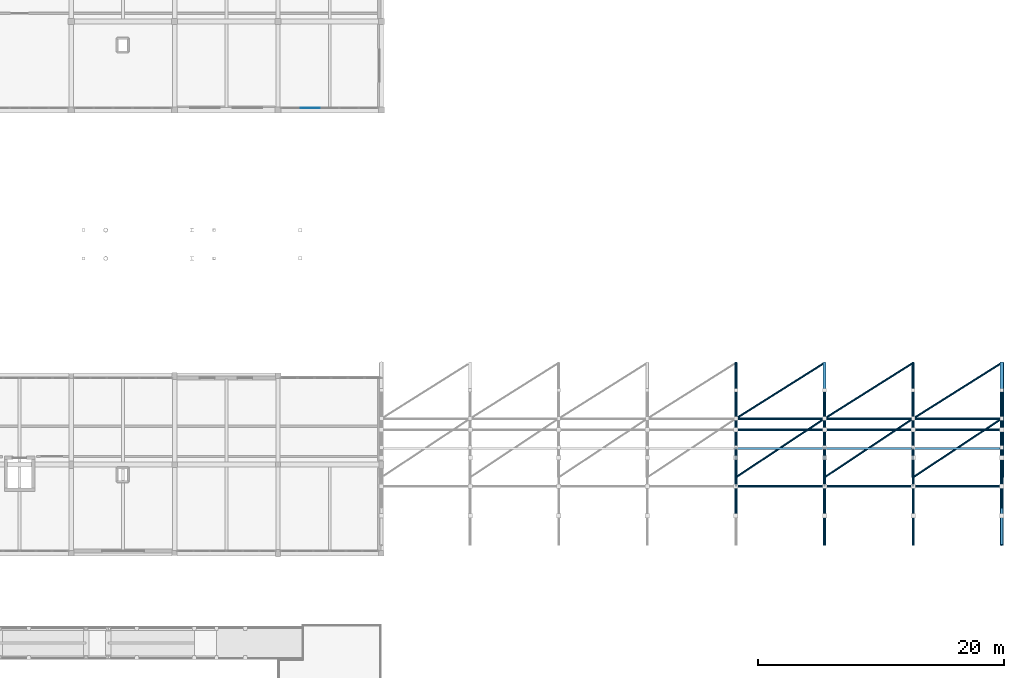
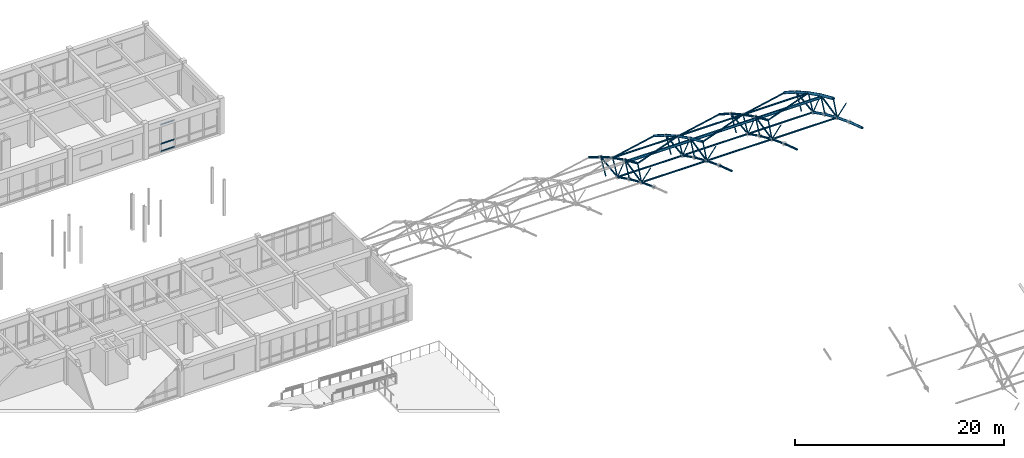
# One storey, part 57 of 89: 84 members, 1 element without a shape of its own.
"""IFC4 building model written with IfcOpenShell, lengths in metres."""

from ifc_helpers import new_model, si_unit, direction, frame, origin, origin_2d, place, context, subcontext, project, spatial, rectangle, hollow_circle, i_section, extrude, material, material_profile, profile_set, type_object, element, aggregate, save


model = new_model("IFC4")

# Units and contexts
model_context = context("Model", 3, precision=1e-05, world=origin(), true_north=direction((0.0, 1.0)))
body_context = subcontext(model_context, "Body", "Model", "MODEL_VIEW")
ifc_project = project(units=[si_unit("LENGTHUNIT", "METRE"), si_unit("AREAUNIT", "SQUARE_METRE"), si_unit("VOLUMEUNIT", "CUBIC_METRE"), si_unit("PLANEANGLEUNIT", "RADIAN"), si_unit("MASSUNIT", "GRAM", prefix="KILO")], contexts=[model_context])

# Site, building, storey
site_placement = place(None, origin())
site = spatial("IfcSite", under=ifc_project, at=site_placement, CompositionType="ELEMENT")
building_placement = place(site_placement, origin())
building = spatial("IfcBuilding", under=site, at=building_placement, Name="Malvenik Polytechnic", CompositionType="ELEMENT")
storey_placement = place(building_placement, frame((0.0, 0.0, 13.5)))
storey = spatial("IfcBuildingStorey", under=building, at=storey_placement, Name="L03", CompositionType="ELEMENT", Elevation=13.5)

# Curtain wall, members
ifc_material_1 = material(Name="Anodised aluminium 6060-T6", Category="aluminium")
curtain_wall_type = type_object("IfcCurtainWallType", Name="ARC-CW-CW-02", PredefinedType="NOTDEFINED", material=ifc_material_1)
curtain_wall_placement = place(storey_placement, origin())
curtain_wall = element("IfcCurtainWall", 1, at=curtain_wall_placement, inside=storey, type_object=curtain_wall_type, Name="Unitised Curtain Wall CW-02 L03 #182", PredefinedType="NOTDEFINED")
ifc_material_2 = material(Name="Anodised aluminium", Category="aluminium")
ifc_material_profile_1 = material_profile(ifc_material_2, rectangle(XDim=0.06005859375, YDim=0.139892578125, at=origin_2d()), Name="ALU TRANSOM 60x140")
ifc_profile_set_1 = profile_set([ifc_material_profile_1], Name="Anodised aluminium")
member_type_1 = type_object("IfcMemberType", Name="ARC-CWT-140", PredefinedType="USERDEFINED", material=ifc_profile_set_1)
member_1_placement = place(storey_placement, frame((129.379638671875, 115.3701171875, 0.030029296875), z_axis=(-1.0, 0.0, 0.0), x_axis=(0.0, -1.0, 0.0)))
member_1 = element("IfcMember", 2, at=member_1_placement, type_object=member_type_1, Name="CW-02 transom 4.1", ObjectType="TRANSOM", PredefinedType="USERDEFINED", context=body_context, shape_type="SweptSolid", body=[
    extrude(rectangle(XDim=0.06005859375, YDim=0.139892578125, at=origin_2d()), origin(), (0.0, 0.0, 1.0), 1.520751953125),
])
member_2_placement = place(storey_placement, frame((129.379638671875, 115.3701171875, 0.89990234375), z_axis=(-1.0, 0.0, 0.0), x_axis=(0.0, -1.0, 0.0)))
member_2 = element("IfcMember", 3, at=member_2_placement, type_object=member_type_1, Name="CW-02 transom 4.2", ObjectType="TRANSOM", PredefinedType="USERDEFINED", context=body_context, shape_type="SweptSolid", body=[
    extrude(rectangle(XDim=0.06005859375, YDim=0.139892578125, at=origin_2d()), origin(), (0.0, 0.0, 1.0), 1.520751953125),
])
member_3_placement = place(storey_placement, frame((129.379638671875, 115.3701171875, 3.1298828125), z_axis=(-1.0, 0.0, 0.0), x_axis=(0.0, -1.0, 0.0)))
member_3 = element("IfcMember", 4, at=member_3_placement, type_object=member_type_1, Name="CW-02 transom 4.3", ObjectType="TRANSOM", PredefinedType="USERDEFINED", context=body_context, shape_type="SweptSolid", body=[
    extrude(rectangle(XDim=0.06005859375, YDim=0.139892578125, at=origin_2d()), origin(), (0.0, 0.0, 1.0), 1.520751953125),
])
aggregate(curtain_wall, [member_1, member_2, member_3])

# Members
ifc_material_3 = material(Name="Steel S355J2H", Category="steel")
ifc_material_profile_2 = material_profile(ifc_material_3, hollow_circle(Radius=0.136474609375, WallThickness=0.010009765625, at=origin_2d()), Name="CHS 273.0x10.0")
ifc_profile_set_2 = profile_set([ifc_material_profile_2], Name="Steel S355J2H")
member_type_2 = type_object("IfcMemberType", Name="STR-MEM-SFB-01", PredefinedType="CHORD", material=ifc_profile_set_2)
for number, where, z_axis, x_axis, name in (
    (5, (184.800048828125, 79.846923828125, 4.37890625), (0.0, 0.94989908527, -0.31255675933), (-1.0, 0.0, 0.0), "Space-Frame Tube SFB-01 STR-SF-BC-0716"),
    (6, (184.800048828125, 82.2626953125, 3.583740234375), (0.0, 0.933457240212, -0.358688696079), (-1.0, 0.0, 0.0), "Space-Frame Tube SFB-01 STR-SF-BC-0718"),
):
    element("IfcMember", number, at=place(storey_placement, frame(where, z_axis=z_axis, x_axis=x_axis)), inside=storey, type_object=member_type_2, Name=name, PredefinedType="CHORD", context=body_context, shape_type="SweptSolid", body=[
        extrude(hollow_circle(Radius=0.136474609375, WallThickness=0.010009765625, at=origin_2d()), origin(), (0.0, 0.0, 1.0), 2.535400390625),
    ])
for number, where, z_axis, x_axis, name in (
    (7, (184.800048828125, 84.636962890625, 2.67138671875), (0.0, 0.914766067663, -0.403983961875), (-1.0, 0.0, 0.0), "Space-Frame Tube SFB-01 STR-SF-BC-0720"),
    (8, (184.800048828125, 86.96337890625, 1.643798828125), (0.0, 0.893983756893, -0.448099366673), (-1.0, 0.0, 0.0), "Space-Frame Tube SFB-01 STR-SF-BC-0722"),
):
    element("IfcMember", number, at=place(storey_placement, frame(where, z_axis=z_axis, x_axis=x_axis)), inside=storey, type_object=member_type_2, Name=name, PredefinedType="CHORD", context=body_context, shape_type="SweptSolid", body=[
        extrude(hollow_circle(Radius=0.136474609375, WallThickness=0.010009765625, at=origin_2d()), origin(), (0.0, 0.0, 1.0), 2.53515625),
    ])
ifc_material_profile_3 = material_profile(ifc_material_3, hollow_circle(Radius=0.109619140625, WallThickness=0.010009765625, at=origin_2d()), Name="CHS 219.1x10.0")
ifc_profile_set_3 = profile_set([ifc_material_profile_3], Name="Steel S355J2H")
member_type_3 = type_object("IfcMemberType", Name="STR-MEM-SFB-02", PredefinedType="CHORD", material=ifc_profile_set_3)
for number, where, z_axis, x_axis, name in (
    (9, (170.39990234375, 79.846923828125, 4.37890625), (0.0, 0.94989908527, -0.31255675933), (-1.0, 0.0, 0.0), "Space-Frame Tube SFB-02 STR-SF-BC-0522"),
    (10, (170.39990234375, 82.2626953125, 3.583740234375), (0.0, 0.933457240212, -0.358688696079), (-1.0, 0.0, 0.0), "Space-Frame Tube SFB-02 STR-SF-BC-0524"),
):
    element("IfcMember", number, at=place(storey_placement, frame(where, z_axis=z_axis, x_axis=x_axis)), inside=storey, type_object=member_type_3, Name=name, PredefinedType="CHORD", context=body_context, shape_type="SweptSolid", body=[
        extrude(hollow_circle(Radius=0.109619140625, WallThickness=0.010009765625, at=origin_2d()), origin(), (0.0, 0.0, 1.0), 2.535400390625),
    ])
for number, where, z_axis, x_axis, name in (
    (11, (170.39990234375, 84.636962890625, 2.67138671875), (0.0, 0.914766067663, -0.403983961875), (-1.0, 0.0, 0.0), "Space-Frame Tube SFB-02 STR-SF-BC-0526"),
    (12, (170.39990234375, 86.96337890625, 1.643798828125), (0.0, 0.893983756893, -0.448099366673), (-1.0, 0.0, 0.0), "Space-Frame Tube SFB-02 STR-SF-BC-0528"),
):
    element("IfcMember", number, at=place(storey_placement, frame(where, z_axis=z_axis, x_axis=x_axis)), inside=storey, type_object=member_type_3, Name=name, PredefinedType="CHORD", context=body_context, shape_type="SweptSolid", body=[
        extrude(hollow_circle(Radius=0.109619140625, WallThickness=0.010009765625, at=origin_2d()), origin(), (0.0, 0.0, 1.0), 2.53515625),
    ])
ifc_material_profile_4 = material_profile(ifc_material_3, hollow_circle(Radius=0.109619140625, WallThickness=0.008056640625, at=origin_2d()), Name="CHS 219.1x8.0")
ifc_profile_set_4 = profile_set([ifc_material_profile_4], Name="Steel S355J2H")
member_type_4 = type_object("IfcMemberType", Name="STR-MEM-SFB-03", PredefinedType="CHORD", material=ifc_profile_set_4)
member_4_placement = place(storey_placement, frame((163.199951171875, 82.2626953125, 3.583740234375), z_axis=(0.0, 0.933457240212, -0.358688696079), x_axis=(-1.0, 0.0, 0.0)))
element("IfcMember", 13, at=member_4_placement, inside=storey, type_object=member_type_4, Name="Space-Frame Tube SFB-03 STR-SF-BC-0427", PredefinedType="CHORD", context=body_context, shape_type="SweptSolid", body=[
    extrude(hollow_circle(Radius=0.109619140625, WallThickness=0.008056640625, at=origin_2d()), origin(), (0.0, 0.0, 1.0), 2.535400390625),
])
for number, where, z_axis, x_axis, name in (
    (14, (163.199951171875, 84.636962890625, 2.67138671875), (0.0, 0.914766067663, -0.403983961875), (-1.0, 0.0, 0.0), "Space-Frame Tube SFB-03 STR-SF-BC-0429"),
    (15, (163.199951171875, 86.96337890625, 1.643798828125), (0.0, 0.893983756893, -0.448099366673), (-1.0, 0.0, 0.0), "Space-Frame Tube SFB-03 STR-SF-BC-0431"),
):
    element("IfcMember", number, at=place(storey_placement, frame(where, z_axis=z_axis, x_axis=x_axis)), inside=storey, type_object=member_type_4, Name=name, PredefinedType="CHORD", context=body_context, shape_type="SweptSolid", body=[
        extrude(hollow_circle(Radius=0.109619140625, WallThickness=0.008056640625, at=origin_2d()), origin(), (0.0, 0.0, 1.0), 2.53515625),
    ])
for number, where, z_axis, x_axis, name in (
    (16, (177.60009765625, 79.846923828125, 4.37890625), (0.0, 0.94989908527, -0.31255675933), (-1.0, 0.0, 0.0), "Space-Frame Tube SFB-03 STR-SF-BC-0619"),
    (17, (177.60009765625, 82.2626953125, 3.583740234375), (0.0, 0.933457240212, -0.358688696079), (-1.0, 0.0, 0.0), "Space-Frame Tube SFB-03 STR-SF-BC-0621"),
):
    element("IfcMember", number, at=place(storey_placement, frame(where, z_axis=z_axis, x_axis=x_axis)), inside=storey, type_object=member_type_4, Name=name, PredefinedType="CHORD", context=body_context, shape_type="SweptSolid", body=[
        extrude(hollow_circle(Radius=0.109619140625, WallThickness=0.008056640625, at=origin_2d()), origin(), (0.0, 0.0, 1.0), 2.535400390625),
    ])
for number, where, z_axis, x_axis, name in (
    (18, (177.60009765625, 84.636962890625, 2.67138671875), (0.0, 0.914766067663, -0.403983961875), (-1.0, 0.0, 0.0), "Space-Frame Tube SFB-03 STR-SF-BC-0623"),
    (19, (177.60009765625, 86.96337890625, 1.643798828125), (0.0, 0.893983756893, -0.448099366673), (-1.0, 0.0, 0.0), "Space-Frame Tube SFB-03 STR-SF-BC-0625"),
):
    element("IfcMember", number, at=place(storey_placement, frame(where, z_axis=z_axis, x_axis=x_axis)), inside=storey, type_object=member_type_4, Name=name, PredefinedType="CHORD", context=body_context, shape_type="SweptSolid", body=[
        extrude(hollow_circle(Radius=0.109619140625, WallThickness=0.008056640625, at=origin_2d()), origin(), (0.0, 0.0, 1.0), 2.53515625),
    ])
ifc_material_profile_5 = material_profile(ifc_material_3, hollow_circle(Radius=0.084228515625, WallThickness=0.00634765625, at=origin_2d()), Name="CHS 168.3x6.3")
ifc_profile_set_5 = profile_set([ifc_material_profile_5], Name="Steel S355J2H")
member_type_5 = type_object("IfcMemberType", Name="STR-MEM-SFD-02", PredefinedType="BRACE", material=ifc_profile_set_5)
member_5_placement = place(storey_placement, frame((163.199951171875, 84.63720703125, 2.673828125), z_axis=(0.0, 0.975199124714, 0.221329318341), x_axis=(-1.0, 0.0, 0.0)))
element("IfcMember", 20, at=member_5_placement, inside=storey, type_object=member_type_5, Name="Space-Frame Tube SFD-02 STR-SF-AD-0482", PredefinedType="BRACE", context=body_context, shape_type="SweptSolid", body=[
    extrude(hollow_circle(Radius=0.084228515625, WallThickness=0.00634765625, at=origin_2d()), origin(), (0.0, 0.0, 1.0), 3.21875),
])
member_6_placement = place(storey_placement, frame((163.199951171875, 89.2373046875, 0.506591796875), z_axis=(0.0, 0.992158407133, 0.124986779923), x_axis=(-1.0, 0.0, 0.0)))
element("IfcMember", 21, at=member_6_placement, inside=storey, type_object=member_type_5, Name="Space-Frame Tube SFD-02 STR-SF-AD-0484", PredefinedType="BRACE", context=body_context, shape_type="SweptSolid", body=[
    extrude(hollow_circle(Radius=0.084228515625, WallThickness=0.00634765625, at=origin_2d()), origin(), (0.0, 0.0, 1.0), 3.218994140625),
])
member_7_placement = place(storey_placement, frame((170.39990234375, 84.63720703125, 2.673828125), z_axis=(0.0, 0.975199124714, 0.221329318341), x_axis=(-1.0, 0.0, 0.0)))
element("IfcMember", 22, at=member_7_placement, inside=storey, type_object=member_type_5, Name="Space-Frame Tube SFD-02 STR-SF-AD-0579", PredefinedType="BRACE", context=body_context, shape_type="SweptSolid", body=[
    extrude(hollow_circle(Radius=0.084228515625, WallThickness=0.00634765625, at=origin_2d()), origin(), (0.0, 0.0, 1.0), 3.21875),
])
member_8_placement = place(storey_placement, frame((170.39990234375, 89.2373046875, 0.506591796875), z_axis=(0.0, 0.992158407133, 0.124986779923), x_axis=(-1.0, 0.0, 0.0)))
element("IfcMember", 23, at=member_8_placement, inside=storey, type_object=member_type_5, Name="Space-Frame Tube SFD-02 STR-SF-AD-0581", PredefinedType="BRACE", context=body_context, shape_type="SweptSolid", body=[
    extrude(hollow_circle(Radius=0.084228515625, WallThickness=0.00634765625, at=origin_2d()), origin(), (0.0, 0.0, 1.0), 3.218994140625),
])
member_9_placement = place(storey_placement, frame((177.60009765625, 84.63720703125, 2.673828125), z_axis=(0.0, 0.975199124714, 0.221329318341), x_axis=(-1.0, 0.0, 0.0)))
element("IfcMember", 24, at=member_9_placement, inside=storey, type_object=member_type_5, Name="Space-Frame Tube SFD-02 STR-SF-AD-0676", PredefinedType="BRACE", context=body_context, shape_type="SweptSolid", body=[
    extrude(hollow_circle(Radius=0.084228515625, WallThickness=0.00634765625, at=origin_2d()), origin(), (0.0, 0.0, 1.0), 3.21875),
])
member_10_placement = place(storey_placement, frame((177.60009765625, 89.2373046875, 0.506591796875), z_axis=(0.0, 0.992158407133, 0.124986779923), x_axis=(-1.0, 0.0, 0.0)))
element("IfcMember", 25, at=member_10_placement, inside=storey, type_object=member_type_5, Name="Space-Frame Tube SFD-02 STR-SF-AD-0678", PredefinedType="BRACE", context=body_context, shape_type="SweptSolid", body=[
    extrude(hollow_circle(Radius=0.084228515625, WallThickness=0.00634765625, at=origin_2d()), origin(), (0.0, 0.0, 1.0), 3.218994140625),
])
member_11_placement = place(storey_placement, frame((184.800048828125, 84.63720703125, 2.673828125), z_axis=(0.0, 0.975199124714, 0.221329318341), x_axis=(-1.0, 0.0, 0.0)))
element("IfcMember", 26, at=member_11_placement, inside=storey, type_object=member_type_5, Name="Space-Frame Tube SFD-02 STR-SF-AD-0773", PredefinedType="BRACE", context=body_context, shape_type="SweptSolid", body=[
    extrude(hollow_circle(Radius=0.084228515625, WallThickness=0.00634765625, at=origin_2d()), origin(), (0.0, 0.0, 1.0), 3.21875),
])
member_12_placement = place(storey_placement, frame((184.800048828125, 89.2373046875, 0.506591796875), z_axis=(0.0, 0.992158407133, 0.124986779923), x_axis=(-1.0, 0.0, 0.0)))
element("IfcMember", 27, at=member_12_placement, inside=storey, type_object=member_type_5, Name="Space-Frame Tube SFD-02 STR-SF-AD-0775", PredefinedType="BRACE", context=body_context, shape_type="SweptSolid", body=[
    extrude(hollow_circle(Radius=0.084228515625, WallThickness=0.00634765625, at=origin_2d()), origin(), (0.0, 0.0, 1.0), 3.218994140625),
])
for number, where, z_axis, x_axis, name in (
    (28, (163.203125, 85.369384765625, 4.451416015625), (0.806760787968, 0.534545761531, -0.251789316347), (-0.552341045188, 0.833618239844, 0.0), "Space-Frame Tube SFD-02 STR-SF-SD-0981"),
    (29, (163.203125, 90.139892578125, 2.2041015625), (0.806747277077, 0.507403378204, -0.302821139809), (-0.532400985757, 0.846492286064, 0.0), "Space-Frame Tube SFD-02 STR-SF-SD-0982"),
):
    element("IfcMember", number, at=place(storey_placement, frame(where, z_axis=z_axis, x_axis=x_axis)), inside=storey, type_object=member_type_5, Name=name, PredefinedType="BRACE", context=body_context, shape_type="SweptSolid", body=[
        extrude(hollow_circle(Radius=0.084228515625, WallThickness=0.00634765625, at=origin_2d()), origin(), (0.0, 0.0, 1.0), 8.916748046875),
    ])
for number, where, z_axis, x_axis, name in (
    (30, (170.4033203125, 85.369384765625, 4.451416015625), (0.806751228172, 0.534557569495, -0.251794878301), (-0.552354072154, 0.833609608255, 0.0), "Space-Frame Tube SFD-02 STR-SF-SD-1023"),
    (31, (170.4033203125, 90.139892578125, 2.2041015625), (0.806737716844, 0.507414586226, -0.302827828818), (-0.532413933286, 0.846484142582, 0.0), "Space-Frame Tube SFD-02 STR-SF-SD-1024"),
):
    element("IfcMember", number, at=place(storey_placement, frame(where, z_axis=z_axis, x_axis=x_axis)), inside=storey, type_object=member_type_5, Name=name, PredefinedType="BRACE", context=body_context, shape_type="SweptSolid", body=[
        extrude(hollow_circle(Radius=0.084228515625, WallThickness=0.00634765625, at=origin_2d()), origin(), (0.0, 0.0, 1.0), 8.91650390625),
    ])
for number, where, z_axis, x_axis, name in (
    (32, (177.603271484375, 85.369384765625, 4.451416015625), (0.806760787968, 0.534545761531, -0.251789316347), (-0.552341045188, 0.833618239844, 0.0), "Space-Frame Tube SFD-02 STR-SF-SD-1065"),
    (33, (177.603271484375, 90.139892578125, 2.2041015625), (0.806747277077, 0.507403378204, -0.302821139809), (-0.532400985757, 0.846492286064, 0.0), "Space-Frame Tube SFD-02 STR-SF-SD-1066"),
):
    element("IfcMember", number, at=place(storey_placement, frame(where, z_axis=z_axis, x_axis=x_axis)), inside=storey, type_object=member_type_5, Name=name, PredefinedType="BRACE", context=body_context, shape_type="SweptSolid", body=[
        extrude(hollow_circle(Radius=0.084228515625, WallThickness=0.00634765625, at=origin_2d()), origin(), (0.0, 0.0, 1.0), 8.916748046875),
    ])
ifc_material_profile_6 = material_profile(ifc_material_3, hollow_circle(Radius=0.06982421875, WallThickness=0.00634765625, at=origin_2d()), Name="CHS 139.7x6.3")
ifc_profile_set_6 = profile_set([ifc_material_profile_6], Name="Steel S355J2H")
member_type_6 = type_object("IfcMemberType", Name="STR-MEM-SFD-03", PredefinedType="BRACE", material=ifc_profile_set_6)
for number, where, z_axis, x_axis, name in (
    (34, (163.199951171875, 84.634765625, 2.6767578125), (0.0, 0.381447924526, 0.924390329285), (-1.0, 0.0, 0.0), "Space-Frame Tube SFD-03 STR-SF-WB-0457"),
    (35, (163.199951171875, 86.96142578125, 1.6494140625), (0.0, 0.426152750684, 0.904651221789), (-1.0, 0.0, 0.0), "Space-Frame Tube SFD-03 STR-SF-WB-0458"),
    (36, (163.199951171875, 89.2353515625, 0.509521484375), (0.0, 0.469841077687, 0.882751019097), (-1.0, 0.0, 0.0), "Space-Frame Tube SFD-03 STR-SF-WB-0459"),
    (37, (163.199951171875, 91.45068359375, -0.740234375), (0.0, 0.512452965651, 0.858715295075), (-1.0, 0.0, 0.0), "Space-Frame Tube SFD-03 STR-SF-WB-0460"),
    (38, (170.39990234375, 84.634765625, 2.6767578125), (0.0, 0.381447924526, 0.924390329285), (-1.0, 0.0, 0.0), "Space-Frame Tube SFD-03 STR-SF-WB-0554"),
    (39, (170.39990234375, 86.96142578125, 1.6494140625), (0.0, 0.426152750684, 0.904651221789), (-1.0, 0.0, 0.0), "Space-Frame Tube SFD-03 STR-SF-WB-0555"),
    (40, (170.39990234375, 89.2353515625, 0.509521484375), (0.0, 0.469841077687, 0.882751019097), (-1.0, 0.0, 0.0), "Space-Frame Tube SFD-03 STR-SF-WB-0556"),
    (41, (170.39990234375, 91.45068359375, -0.740234375), (0.0, 0.512452965651, 0.858715295075), (-1.0, 0.0, 0.0), "Space-Frame Tube SFD-03 STR-SF-WB-0557"),
    (42, (177.60009765625, 84.634765625, 2.6767578125), (0.0, 0.381447924526, 0.924390329285), (-1.0, 0.0, 0.0), "Space-Frame Tube SFD-03 STR-SF-WB-0651"),
    (43, (177.60009765625, 86.96142578125, 1.6494140625), (0.0, 0.426152750684, 0.904651221789), (-1.0, 0.0, 0.0), "Space-Frame Tube SFD-03 STR-SF-WB-0652"),
    (44, (177.60009765625, 89.2353515625, 0.509521484375), (0.0, 0.469841077687, 0.882751019097), (-1.0, 0.0, 0.0), "Space-Frame Tube SFD-03 STR-SF-WB-0653"),
    (45, (177.60009765625, 91.45068359375, -0.740234375), (0.0, 0.512452965651, 0.858715295075), (-1.0, 0.0, 0.0), "Space-Frame Tube SFD-03 STR-SF-WB-0654"),
    (46, (184.800048828125, 84.634765625, 2.6767578125), (0.0, 0.381447924526, 0.924390329285), (-1.0, 0.0, 0.0), "Space-Frame Tube SFD-03 STR-SF-WB-0748"),
    (47, (184.800048828125, 86.96142578125, 1.6494140625), (0.0, 0.426152750684, 0.904651221789), (-1.0, 0.0, 0.0), "Space-Frame Tube SFD-03 STR-SF-WB-0749"),
    (48, (184.800048828125, 89.2353515625, 0.509521484375), (0.0, 0.469841077687, 0.882751019097), (-1.0, 0.0, 0.0), "Space-Frame Tube SFD-03 STR-SF-WB-0750"),
    (49, (184.800048828125, 91.45068359375, -0.740234375), (0.0, 0.512452965651, 0.858715295075), (-1.0, 0.0, 0.0), "Space-Frame Tube SFD-03 STR-SF-WB-0751"),
):
    element("IfcMember", number, at=place(storey_placement, frame(where, z_axis=z_axis, x_axis=x_axis)), inside=storey, type_object=member_type_6, Name=name, PredefinedType="BRACE", context=body_context, shape_type="SweptSolid", body=[
        extrude(hollow_circle(Radius=0.06982421875, WallThickness=0.00634765625, at=origin_2d()), origin(), (0.0, 0.0, 1.0), 1.9169921875),
    ])
ifc_material_profile_7 = material_profile(ifc_material_3, hollow_circle(Radius=0.05712890625, WallThickness=0.0048828125, at=origin_2d()), Name="CHS 114.3x5.0")
ifc_profile_set_7 = profile_set([ifc_material_profile_7], Name="Steel S355J2H")
member_type_7 = type_object("IfcMemberType", Name="STR-MEM-SFD-04", PredefinedType="BRACE", material=ifc_profile_set_7)
for number, where, z_axis, x_axis, name in (
    (50, (163.199951171875, 82.907470703125, 5.39501953125), (0.0, 0.535476056284, -0.844550408884), (-1.0, 0.0, 0.0), "Space-Frame Tube SFD-04 STR-SF-AD-0481"),
    (51, (163.199951171875, 87.781982421875, 3.383544921875), (0.0, 0.450365953403, -0.892844055821), (-1.0, 0.0, 0.0), "Space-Frame Tube SFD-04 STR-SF-AD-0483"),
    (52, (170.39990234375, 82.907470703125, 5.39501953125), (0.0, 0.535476056284, -0.844550408884), (-1.0, 0.0, 0.0), "Space-Frame Tube SFD-04 STR-SF-AD-0578"),
    (53, (170.39990234375, 87.781982421875, 3.383544921875), (0.0, 0.450365953403, -0.892844055821), (-1.0, 0.0, 0.0), "Space-Frame Tube SFD-04 STR-SF-AD-0580"),
    (54, (177.60009765625, 82.907470703125, 5.39501953125), (0.0, 0.535476056284, -0.844550408884), (-1.0, 0.0, 0.0), "Space-Frame Tube SFD-04 STR-SF-AD-0675"),
    (55, (177.60009765625, 87.781982421875, 3.383544921875), (0.0, 0.450365953403, -0.892844055821), (-1.0, 0.0, 0.0), "Space-Frame Tube SFD-04 STR-SF-AD-0677"),
    (56, (184.800048828125, 82.907470703125, 5.39501953125), (0.0, 0.535476056284, -0.844550408884), (-1.0, 0.0, 0.0), "Space-Frame Tube SFD-04 STR-SF-AD-0772"),
    (57, (184.800048828125, 87.781982421875, 3.383544921875), (0.0, 0.450365953403, -0.892844055821), (-1.0, 0.0, 0.0), "Space-Frame Tube SFD-04 STR-SF-AD-0774"),
):
    element("IfcMember", number, at=place(storey_placement, frame(where, z_axis=z_axis, x_axis=x_axis)), inside=storey, type_object=member_type_7, Name=name, PredefinedType="BRACE", context=body_context, shape_type="SweptSolid", body=[
        extrude(hollow_circle(Radius=0.05712890625, WallThickness=0.0048828125, at=origin_2d()), origin(), (0.0, 0.0, 1.0), 3.218994140625),
    ])
ifc_material_profile_8 = material_profile(ifc_material_3, hollow_circle(Radius=0.096923828125, WallThickness=0.008056640625, at=origin_2d()), Name="CHS 193.7x8.0")
ifc_profile_set_8 = profile_set([ifc_material_profile_8], Name="Steel S355J2H")
member_type_8 = type_object("IfcMemberType", Name="STR-MEM-SFL-01", PredefinedType="CHORD", material=ifc_profile_set_8)
for number, where, z_axis, x_axis, name in (
    (58, (163.2041015625, 84.63330078125, 2.673095703125), (1.0, 0.0, 0.0), (0.0, 1.0, 0.0), "Space-Frame Tube SFL-01 STR-SF-LB-0965"),
    (59, (163.2041015625, 89.2333984375, 0.506103515625), (1.0, 0.0, 0.0), (0.0, 1.0, 0.0), "Space-Frame Tube SFL-01 STR-SF-LB-0967"),
    (60, (163.2041015625, 90.137939453125, 2.205078125), (1.0, 0.0, 0.0), (0.0, 1.0, 0.0), "Space-Frame Tube SFL-01 STR-SF-LT-0968"),
    (61, (170.404052734375, 84.63330078125, 2.673095703125), (1.0, 0.0, 0.0), (0.0, 1.0, 0.0), "Space-Frame Tube SFL-01 STR-SF-LB-1007"),
    (62, (170.404052734375, 89.2333984375, 0.506103515625), (1.0, 0.0, 0.0), (0.0, 1.0, 0.0), "Space-Frame Tube SFL-01 STR-SF-LB-1009"),
    (63, (170.404052734375, 90.137939453125, 2.205078125), (1.0, 0.0, 0.0), (0.0, 1.0, 0.0), "Space-Frame Tube SFL-01 STR-SF-LT-1010"),
    (64, (177.60400390625, 84.63330078125, 2.673095703125), (1.0, 0.0, 0.0), (0.0, 1.0, 0.0), "Space-Frame Tube SFL-01 STR-SF-LB-1049"),
    (65, (177.60400390625, 89.2333984375, 0.506103515625), (1.0, 0.0, 0.0), (0.0, 1.0, 0.0), "Space-Frame Tube SFL-01 STR-SF-LB-1051"),
    (66, (177.60400390625, 90.137939453125, 2.205078125), (1.0, 0.0, 0.0), (0.0, 1.0, 0.0), "Space-Frame Tube SFL-01 STR-SF-LT-1052"),
):
    element("IfcMember", number, at=place(storey_placement, frame(where, z_axis=z_axis, x_axis=x_axis)), inside=storey, type_object=member_type_8, Name=name, PredefinedType="CHORD", context=body_context, shape_type="SweptSolid", body=[
        extrude(hollow_circle(Radius=0.096923828125, WallThickness=0.008056640625, at=origin_2d()), origin(), (0.0, 0.0, 1.0), 7.19189453125),
    ])
ifc_material_4 = material(Name="Steel S355", Category="steel")
ifc_material_profile_9 = material_profile(ifc_material_4, i_section(OverallWidth=0.14990234375, OverallDepth=0.300048828125, WebThickness=0.007080078125, FlangeThickness=0.0107421875, FilletRadius=0.014892578125, at=origin_2d()), Name="IPE 300")
ifc_profile_set_9 = profile_set([ifc_material_profile_9], Name="Steel S355")
member_type_9 = type_object("IfcMemberType", Name="STR-MEM-SFP-02", PredefinedType="PURLIN", material=ifc_profile_set_9)
member_13_placement = place(storey_placement, frame((163.219970703125, 87.69287109375, 3.201904296875), z_axis=(1.0, 0.0, 0.0), x_axis=(0.0, 1.0, 0.0)))
element("IfcMember", 67, at=member_13_placement, inside=storey, type_object=member_type_9, Name="Vault Roof Purlin SFP-02 #986", PredefinedType="PURLIN", context=body_context, shape_type="SweptSolid", body=[
    extrude(i_section(OverallWidth=0.14990234375, OverallDepth=0.300048828125, WebThickness=0.007080078125, FlangeThickness=0.0107421875, FilletRadius=0.014892578125, at=origin_2d()), origin(), (0.0, 0.0, 1.0), 7.159912109375),
])
member_14_placement = place(storey_placement, frame((170.419921875, 87.69287109375, 3.201904296875), z_axis=(1.0, 0.0, 0.0), x_axis=(0.0, 1.0, 0.0)))
element("IfcMember", 68, at=member_14_placement, inside=storey, type_object=member_type_9, Name="Vault Roof Purlin SFP-02 #1028", PredefinedType="PURLIN", context=body_context, shape_type="SweptSolid", body=[
    extrude(i_section(OverallWidth=0.14990234375, OverallDepth=0.300048828125, WebThickness=0.007080078125, FlangeThickness=0.0107421875, FilletRadius=0.014892578125, at=origin_2d()), origin(), (0.0, 0.0, 1.0), 7.16015625),
])
member_15_placement = place(storey_placement, frame((177.6201171875, 87.69287109375, 3.201904296875), z_axis=(1.0, 0.0, 0.0), x_axis=(0.0, 1.0, 0.0)))
element("IfcMember", 69, at=member_15_placement, inside=storey, type_object=member_type_9, Name="Vault Roof Purlin SFP-02 #1070", PredefinedType="PURLIN", context=body_context, shape_type="SweptSolid", body=[
    extrude(i_section(OverallWidth=0.14990234375, OverallDepth=0.300048828125, WebThickness=0.007080078125, FlangeThickness=0.0107421875, FilletRadius=0.014892578125, at=origin_2d()), origin(), (0.0, 0.0, 1.0), 7.159912109375),
])
ifc_material_profile_10 = material_profile(ifc_material_3, hollow_circle(Radius=0.136474609375, WallThickness=0.012451171875, at=origin_2d()), Name="CHS 273.0x12.5")
ifc_profile_set_10 = profile_set([ifc_material_profile_10], Name="Steel S355J2H")
member_type_10 = type_object("IfcMemberType", Name="STR-MEM-SFT-02", PredefinedType="CHORD", material=ifc_profile_set_10)
for number, where, z_axis, x_axis, name in (
    (70, (170.39990234375, 85.37109375, 4.450927734375), (0.0, 0.914796734349, -0.403914514253), (-1.0, 0.0, 0.0), "Space-Frame Tube SFT-02 STR-SF-TC-0527"),
    (71, (170.39990234375, 87.78369140625, 3.385498046875), (0.0, 0.893943858367, -0.448178957659), (-1.0, 0.0, 0.0), "Space-Frame Tube SFT-02 STR-SF-TC-0529"),
    (72, (170.39990234375, 90.141357421875, 2.203125), (0.0, 0.871012085671, -0.491261586748), (-1.0, 0.0, 0.0), "Space-Frame Tube SFT-02 STR-SF-TC-0531"),
):
    element("IfcMember", number, at=place(storey_placement, frame(where, z_axis=z_axis, x_axis=x_axis)), inside=storey, type_object=member_type_10, Name=name, PredefinedType="CHORD", context=body_context, shape_type="SweptSolid", body=[
        extrude(hollow_circle(Radius=0.136474609375, WallThickness=0.012451171875, at=origin_2d()), origin(), (0.0, 0.0, 1.0), 2.62939453125),
    ])
member_16_placement = place(storey_placement, frame((170.39990234375, 92.4384765625, 0.9072265625), z_axis=(0.0, 0.845921049745, -0.53330814507), x_axis=(-1.0, 0.0, 0.0)))
element("IfcMember", 73, at=member_16_placement, inside=storey, type_object=member_type_10, Name="Space-Frame Tube SFT-02 STR-SF-TC-0533", PredefinedType="CHORD", context=body_context, shape_type="SweptSolid", body=[
    extrude(hollow_circle(Radius=0.136474609375, WallThickness=0.012451171875, at=origin_2d()), origin(), (0.0, 0.0, 1.0), 2.629638671875),
])
ifc_material_profile_11 = material_profile(ifc_material_3, hollow_circle(Radius=0.122314453125, WallThickness=0.010009765625, at=origin_2d()), Name="CHS 244.5x10.0")
ifc_profile_set_11 = profile_set([ifc_material_profile_11], Name="Steel S355J2H")
member_type_11 = type_object("IfcMemberType", Name="STR-MEM-SFT-03", PredefinedType="CHORD", material=ifc_profile_set_11)
for number, where, z_axis, x_axis, name in (
    (74, (163.199951171875, 85.37109375, 4.450927734375), (0.0, 0.914796734349, -0.403914514253), (-1.0, 0.0, 0.0), "Space-Frame Tube SFT-03 STR-SF-TC-0430"),
    (75, (163.199951171875, 87.78369140625, 3.385498046875), (0.0, 0.893943858367, -0.448178957659), (-1.0, 0.0, 0.0), "Space-Frame Tube SFT-03 STR-SF-TC-0432"),
    (76, (163.199951171875, 90.141357421875, 2.203125), (0.0, 0.871012085671, -0.491261586748), (-1.0, 0.0, 0.0), "Space-Frame Tube SFT-03 STR-SF-TC-0434"),
):
    element("IfcMember", number, at=place(storey_placement, frame(where, z_axis=z_axis, x_axis=x_axis)), inside=storey, type_object=member_type_11, Name=name, PredefinedType="CHORD", context=body_context, shape_type="SweptSolid", body=[
        extrude(hollow_circle(Radius=0.122314453125, WallThickness=0.010009765625, at=origin_2d()), origin(), (0.0, 0.0, 1.0), 2.62939453125),
    ])
member_17_placement = place(storey_placement, frame((163.199951171875, 92.4384765625, 0.9072265625), z_axis=(0.0, 0.845921049745, -0.53330814507), x_axis=(-1.0, 0.0, 0.0)))
element("IfcMember", 77, at=member_17_placement, inside=storey, type_object=member_type_11, Name="Space-Frame Tube SFT-03 STR-SF-TC-0436", PredefinedType="CHORD", context=body_context, shape_type="SweptSolid", body=[
    extrude(hollow_circle(Radius=0.122314453125, WallThickness=0.010009765625, at=origin_2d()), origin(), (0.0, 0.0, 1.0), 2.629638671875),
])
for number, where, z_axis, x_axis, name in (
    (78, (177.60009765625, 85.37109375, 4.450927734375), (0.0, 0.914796734349, -0.403914514253), (-1.0, 0.0, 0.0), "Space-Frame Tube SFT-03 STR-SF-TC-0624"),
    (79, (177.60009765625, 87.78369140625, 3.385498046875), (0.0, 0.893943858367, -0.448178957659), (-1.0, 0.0, 0.0), "Space-Frame Tube SFT-03 STR-SF-TC-0626"),
    (80, (177.60009765625, 90.141357421875, 2.203125), (0.0, 0.871012085671, -0.491261586748), (-1.0, 0.0, 0.0), "Space-Frame Tube SFT-03 STR-SF-TC-0628"),
):
    element("IfcMember", number, at=place(storey_placement, frame(where, z_axis=z_axis, x_axis=x_axis)), inside=storey, type_object=member_type_11, Name=name, PredefinedType="CHORD", context=body_context, shape_type="SweptSolid", body=[
        extrude(hollow_circle(Radius=0.122314453125, WallThickness=0.010009765625, at=origin_2d()), origin(), (0.0, 0.0, 1.0), 2.62939453125),
    ])
member_18_placement = place(storey_placement, frame((177.60009765625, 92.4384765625, 0.9072265625), z_axis=(0.0, 0.845921049745, -0.53330814507), x_axis=(-1.0, 0.0, 0.0)))
element("IfcMember", 81, at=member_18_placement, inside=storey, type_object=member_type_11, Name="Space-Frame Tube SFT-03 STR-SF-TC-0630", PredefinedType="CHORD", context=body_context, shape_type="SweptSolid", body=[
    extrude(hollow_circle(Radius=0.122314453125, WallThickness=0.010009765625, at=origin_2d()), origin(), (0.0, 0.0, 1.0), 2.629638671875),
])
ifc_material_profile_12 = material_profile(ifc_material_3, hollow_circle(Radius=0.161865234375, WallThickness=0.012451171875, at=origin_2d()), Name="CHS 323.9x12.5")
ifc_profile_set_12 = profile_set([ifc_material_profile_12], Name="Steel S355J2H")
member_type_12 = type_object("IfcMemberType", Name="STR-MEM-SFT-04", PredefinedType="CHORD", material=ifc_profile_set_12)
for number, where, z_axis, x_axis, name in (
    (82, (184.800048828125, 85.37109375, 4.450927734375), (0.0, 0.914796734349, -0.403914514253), (-1.0, 0.0, 0.0), "Space-Frame Tube SFT-04 STR-SF-TC-0721"),
    (83, (184.800048828125, 87.78369140625, 3.385498046875), (0.0, 0.893943858367, -0.448178957659), (-1.0, 0.0, 0.0), "Space-Frame Tube SFT-04 STR-SF-TC-0723"),
    (84, (184.800048828125, 90.141357421875, 2.203125), (0.0, 0.871012085671, -0.491261586748), (-1.0, 0.0, 0.0), "Space-Frame Tube SFT-04 STR-SF-TC-0725"),
):
    element("IfcMember", number, at=place(storey_placement, frame(where, z_axis=z_axis, x_axis=x_axis)), inside=storey, type_object=member_type_12, Name=name, PredefinedType="CHORD", context=body_context, shape_type="SweptSolid", body=[
        extrude(hollow_circle(Radius=0.161865234375, WallThickness=0.012451171875, at=origin_2d()), origin(), (0.0, 0.0, 1.0), 2.62939453125),
    ])
member_19_placement = place(storey_placement, frame((184.800048828125, 92.4384765625, 0.9072265625), z_axis=(0.0, 0.845921049745, -0.53330814507), x_axis=(-1.0, 0.0, 0.0)))
element("IfcMember", 85, at=member_19_placement, inside=storey, type_object=member_type_12, Name="Space-Frame Tube SFT-04 STR-SF-TC-0727", PredefinedType="CHORD", context=body_context, shape_type="SweptSolid", body=[
    extrude(hollow_circle(Radius=0.161865234375, WallThickness=0.012451171875, at=origin_2d()), origin(), (0.0, 0.0, 1.0), 2.629638671875),
])

save(model, "model.ifc")
